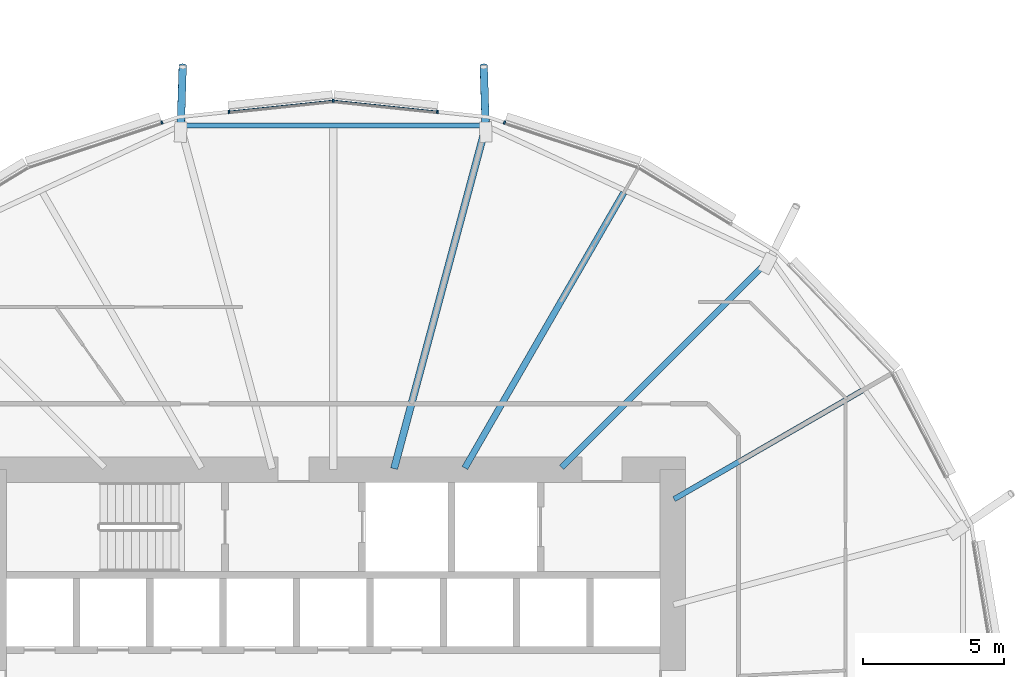
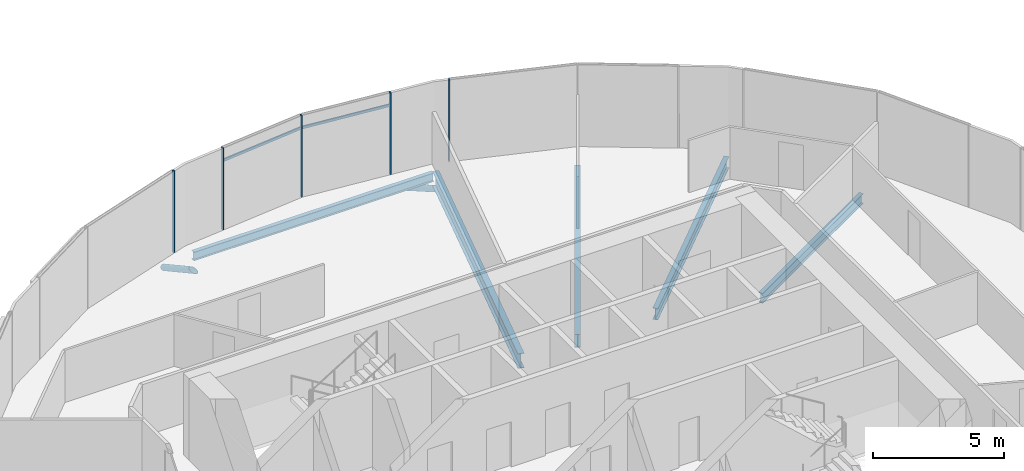
# One storey, part 9 of 38: 9 members, 5 beams, 1 element without a shape of its own.
"""IFC4 building model written with IfcOpenShell, lengths in metres."""

from ifc_helpers import new_model, si_unit, direction, frame, origin, origin_2d, place, context, subcontext, project, spatial, rectangle, hollow_circle, i_section, extrude, clip, halfspace, material, material_profile, profile_set, type_object, element, aggregate, save


model = new_model("IFC4")

# Units and contexts
model_context = context("Model", 3, precision=1e-05, world=origin(), true_north=direction((0.0, 1.0)))
body_context = subcontext(model_context, "Body", "Model", "MODEL_VIEW")
ifc_project = project(units=[si_unit("LENGTHUNIT", "METRE"), si_unit("AREAUNIT", "SQUARE_METRE"), si_unit("VOLUMEUNIT", "CUBIC_METRE"), si_unit("PLANEANGLEUNIT", "RADIAN"), si_unit("MASSUNIT", "GRAM", prefix="KILO")], contexts=[model_context])

# Site, building, storey
site_placement = place(None, origin())
site = spatial("IfcSite", under=ifc_project, at=site_placement, CompositionType="ELEMENT")
building_placement = place(site_placement, origin())
building = spatial("IfcBuilding", under=site, at=building_placement, Name="Rimbun Link Towers", CompositionType="ELEMENT")
storey_placement = place(building_placement, frame((0.0, 0.0, 68.0)))
storey = spatial("IfcBuildingStorey", under=building, at=storey_placement, Name="L16", CompositionType="ELEMENT", Elevation=68.0)

# Curtain wall, members
ifc_material_1 = material(Name="Aluminium 6063-T6 and low-iron glass", Category="aluminium")
curtain_wall_type = type_object("IfcCurtainWallType", Name="CW1 unitised vision wall", PredefinedType="NOTDEFINED", material=ifc_material_1)
curtain_wall_placement = place(storey_placement, origin())
curtain_wall = element("IfcCurtainWall", 1, at=curtain_wall_placement, inside=storey, type_object=curtain_wall_type, Name="CW1 L16 T1", PredefinedType="NOTDEFINED")
ifc_material_2 = material(Name="Aluminium 6063-T6", Category="aluminium")
ifc_material_profile_1 = material_profile(ifc_material_2, rectangle(XDim=0.1201171875, YDim=0.06005859375, at=origin_2d()), Name="MULLION 60X120")
ifc_profile_set_1 = profile_set([ifc_material_profile_1], Name="Aluminium 6063-T6")
member_type_1 = type_object("IfcMemberType", Name="CW1 mullion 60X120", PredefinedType="MULLION", material=ifc_profile_set_1)
member_1_placement = place(storey_placement, frame((-25.695068359375, 20.26953125, 0.0), z_axis=(0.0, 0.0, 1.0), x_axis=(0.314555783293, 0.949238989505, 0.0)))
member_1 = element("IfcMember", 2, at=member_1_placement, type_object=member_type_1, Name="CW1 mullion", PredefinedType="MULLION", context=body_context, shape_type="SweptSolid", body=[
    extrude(rectangle(XDim=0.1201171875, YDim=0.06005859375, at=origin_2d()), origin(), (0.0, 0.0, 1.0), 3.800048828125),
])
member_2_placement = place(storey_placement, frame((-31.75, 21.037109375, 0.0), z_axis=(0.0, 0.0, 1.0), x_axis=(0.0, 1.0, 0.0)))
member_2 = element("IfcMember", 3, at=member_2_placement, type_object=member_type_1, Name="CW1 mullion", PredefinedType="MULLION", context=body_context, shape_type="SweptSolid", body=[
    extrude(rectangle(XDim=0.1201171875, YDim=0.06005859375, at=origin_2d()), origin(), (0.0, 0.0, 1.0), 3.800048828125),
])
member_3_placement = place(storey_placement, frame((-28.0673828125, 20.6494140625, 0.0), z_axis=(0.0, 0.0, 1.0), x_axis=(0.104734976112, 0.994500168315, 0.0)))
member_3 = element("IfcMember", 4, at=member_3_placement, type_object=member_type_1, Name="CW1 mullion", PredefinedType="MULLION", context=body_context, shape_type="SweptSolid", body=[
    extrude(rectangle(XDim=0.1201171875, YDim=0.06005859375, at=origin_2d()), origin(), (0.0, 0.0, 1.0), 3.800048828125),
])
member_4_placement = place(storey_placement, frame((-35.4326171875, 20.6494140625, 0.0), z_axis=(0.0, 0.0, 1.0), x_axis=(-0.104734976112, 0.994500168315, 0.0)))
member_4 = element("IfcMember", 5, at=member_4_placement, type_object=member_type_1, Name="CW1 mullion", PredefinedType="MULLION", context=body_context, shape_type="SweptSolid", body=[
    extrude(rectangle(XDim=0.1201171875, YDim=0.06005859375, at=origin_2d()), origin(), (0.0, 0.0, 1.0), 3.800048828125),
])
member_5_placement = place(storey_placement, frame((-37.804931640625, 20.26953125, 0.0), z_axis=(0.0, 0.0, 1.0), x_axis=(-0.314555783293, 0.949238989505, 0.0)))
member_5 = element("IfcMember", 6, at=member_5_placement, type_object=member_type_1, Name="CW1 mullion", PredefinedType="MULLION", context=body_context, shape_type="SweptSolid", body=[
    extrude(rectangle(XDim=0.1201171875, YDim=0.06005859375, at=origin_2d()), origin(), (0.0, 0.0, 1.0), 3.800048828125),
])
ifc_material_3 = material(Name="Aluminium 6063-T6", Category="aluminium")
ifc_material_profile_2 = material_profile(ifc_material_3, rectangle(XDim=0.06005859375, YDim=0.1201171875, at=origin_2d()), Name="TRANSOM 60X120")
ifc_profile_set_2 = profile_set([ifc_material_profile_2], Name="Aluminium 6063-T6")
member_type_2 = type_object("IfcMemberType", Name="CW1 transom 60X120", PredefinedType="USERDEFINED", material=ifc_profile_set_2)
member_6_placement = place(storey_placement, frame((-31.714111328125, 21.031494140625, 3.199951171875), z_axis=(0.994501037845, -0.104726719255, 0.0), x_axis=(0.104726719255, 0.994501037845, 0.0)))
member_6 = element("IfcMember", 7, at=member_6_placement, type_object=member_type_2, Name="CW1 transom", ObjectType="TRANSOM", PredefinedType="USERDEFINED", context=body_context, shape_type="SweptSolid", body=[
    extrude(rectangle(XDim=0.06005859375, YDim=0.1201171875, at=origin_2d()), origin(), (0.0, 0.0, 1.0), 3.63671875),
])
member_7_placement = place(storey_placement, frame((-35.402587890625, 20.650634765625, 3.199951171875), z_axis=(0.994501037845, 0.104726719255, 0.0), x_axis=(-0.104726719255, 0.994501037845, 0.0)))
member_7 = element("IfcMember", 8, at=member_7_placement, type_object=member_type_2, Name="CW1 transom", ObjectType="TRANSOM", PredefinedType="USERDEFINED", context=body_context, shape_type="SweptSolid", body=[
    extrude(rectangle(XDim=0.06005859375, YDim=0.1201171875, at=origin_2d()), origin(), (0.0, 0.0, 1.0), 3.63671875),
])
aggregate(curtain_wall, [member_1, member_2, member_3, member_4, member_5, member_6, member_7])

# Members
ifc_material_4 = material(Name="Steel S355J2H", Category="steel")
ifc_material_profile_3 = material_profile(ifc_material_4, hollow_circle(Radius=0.136474609375, WallThickness=0.012451171875, at=origin_2d()), Name="CHS 273x12.5")
ifc_profile_set_3 = profile_set([ifc_material_profile_3], Name="Steel S355J2H")
member_type_3 = type_object("IfcMemberType", Name="Floor edge link CHS 273x12.5", PredefinedType="BRACE", material=ifc_profile_set_3)
for number, where, z_axis, x_axis, name in (
    (9, (-26.36181640625, 20.1083984375, -0.962158203125), (-0.027536932108, 0.872068180878, -0.488609051563), (-0.99950183225, -0.031560851204, 0.0), "Floor edge link T1 L16 05"),
    (10, (-37.13818359375, 20.1083984375, -0.962158203125), (0.027536932108, 0.872068180878, -0.488609051563), (-0.99950183225, 0.031560851204, 0.0), "Floor edge link T1 L16 07"),
):
    element("IfcMember", number, at=place(storey_placement, frame(where, z_axis=z_axis, x_axis=x_axis)), inside=storey, type_object=member_type_3, Name=name, PredefinedType="BRACE", context=body_context, shape_type="Clipping", body=[
        clip(extrude(hollow_circle(Radius=0.136474609375, WallThickness=0.012451171875, at=origin_2d()), frame((0.0, 0.0, -0.508056640625)), (0.0, 0.0, 1.0), 2.999267578125), halfspace(frame((0.0, 0.0, -0.23876953125), z_axis=(0.0, 0.872502833652, -0.488609051563)), False)),
    ])

# Beams
ifc_material_5 = material(Name="Steel S355J2", Category="steel")
ifc_material_profile_4 = material_profile(ifc_material_5, i_section(OverallWidth=0.177978515625, OverallDepth=0.406494140625, WebThickness=0.0078125, FlangeThickness=0.0126953125, at=origin_2d()), Name="UB 406x178x60")
ifc_profile_set_4 = profile_set([ifc_material_profile_4], Name="Steel S355J2")
beam_type_1 = type_object("IfcBeamType", Name="UB 406x178x60", PredefinedType="BEAM", material=ifc_profile_set_4)
beam_1_placement = place(storey_placement, frame((-26.481201171875, 20.15673828125, -0.36328125), z_axis=(-1.0, 0.0, 0.0), x_axis=(0.0, -1.0, 0.0)))
element("IfcBeam", 11, at=beam_1_placement, inside=storey, type_object=beam_type_1, Name="Edge beam T1 L16 05-07", PredefinedType="BEAM", context=body_context, shape_type="SweptSolid", body=[
    extrude(i_section(OverallWidth=0.177978515625, OverallDepth=0.406494140625, WebThickness=0.0078125, FlangeThickness=0.0126953125, at=origin_2d()), origin(), (0.0, 0.0, 1.0), 10.53759765625),
])
ifc_material_6 = material(Name="Steel S355J2", Category="steel")
ifc_material_profile_5 = material_profile(ifc_material_6, i_section(OverallWidth=0.18994140625, OverallDepth=0.453369140625, WebThickness=0.008544921875, FlangeThickness=0.0126953125, at=origin_2d()), Name="UB 457x191x67")
ifc_profile_set_5 = profile_set([ifc_material_profile_5], Name="Steel S355J2")
beam_type_2 = type_object("IfcBeamType", Name="UB 457x191x67", PredefinedType="BEAM", material=ifc_profile_set_5)
beam_2_placement = place(storey_placement, frame((-19.70166015625, 6.9560546875, -0.38671875), z_axis=(0.866012339475, 0.500022627366, 0.0), x_axis=(-0.500022627366, 0.866012339475, 0.0)))
element("IfcBeam", 12, at=beam_2_placement, inside=storey, type_object=beam_type_2, Name="Radial beam T1 L16 02", PredefinedType="BEAM", context=body_context, shape_type="SweptSolid", body=[
    extrude(i_section(OverallWidth=0.18994140625, OverallDepth=0.453369140625, WebThickness=0.008544921875, FlangeThickness=0.0126953125, at=origin_2d()), origin(), (0.0, 0.0, 1.0), 7.674072265625),
])
ifc_material_7 = material(Name="Steel S355J2", Category="steel")
ifc_material_profile_6 = material_profile(ifc_material_7, i_section(OverallWidth=0.209228515625, OverallDepth=0.533203125, WebThickness=0.010009765625, FlangeThickness=0.015625, at=origin_2d()), Name="UB 533x210x92")
ifc_profile_set_6 = profile_set([ifc_material_profile_6], Name="Steel S355J2")
beam_type_3 = type_object("IfcBeamType", Name="UB 533x210x92", PredefinedType="BEAM", material=ifc_profile_set_6)
beam_3_placement = place(storey_placement, frame((-23.67529296875, 8.07470703125, -0.426513671875), z_axis=(0.707106781187, 0.707106781187, 0.0), x_axis=(-0.707106781187, 0.707106781187, 0.0)))
element("IfcBeam", 13, at=beam_3_placement, inside=storey, type_object=beam_type_3, Name="Radial beam T1 L16 03", PredefinedType="BEAM", context=body_context, shape_type="SweptSolid", body=[
    extrude(i_section(OverallWidth=0.209228515625, OverallDepth=0.533203125, WebThickness=0.010009765625, FlangeThickness=0.015625, at=origin_2d()), origin(), (0.0, 0.0, 1.0), 10.45263671875),
])
ifc_material_8 = material(Name="Steel S355J2", Category="steel")
ifc_material_profile_7 = material_profile(ifc_material_8, i_section(OverallWidth=0.2275390625, OverallDepth=0.6025390625, WebThickness=0.010498046875, FlangeThickness=0.014892578125, at=origin_2d()), Name="UB 610x229x101")
ifc_profile_set_7 = profile_set([ifc_material_profile_7], Name="Steel S355J2")
beam_type_4 = type_object("IfcBeamType", Name="UB 610x229x101", PredefinedType="BEAM", material=ifc_profile_set_7)
beam_4_placement = place(storey_placement, frame((-27.097900390625, 8.057861328125, -0.461181640625), z_axis=(0.50001148964, 0.866018770136, 0.0), x_axis=(-0.866018770136, 0.50001148964, 0.0)))
element("IfcBeam", 14, at=beam_4_placement, inside=storey, type_object=beam_type_4, Name="Radial beam T1 L16 04", PredefinedType="BEAM", context=body_context, shape_type="SweptSolid", body=[
    extrude(i_section(OverallWidth=0.2275390625, OverallDepth=0.6025390625, WebThickness=0.010498046875, FlangeThickness=0.014892578125, at=origin_2d()), origin(), (0.0, 0.0, 1.0), 11.235595703125),
])
ifc_material_9 = material(Name="Steel S355J2", Category="steel")
ifc_material_profile_8 = material_profile(ifc_material_9, i_section(OverallWidth=0.253662109375, OverallDepth=0.68359375, WebThickness=0.012451171875, FlangeThickness=0.01904296875, at=origin_2d()), Name="UB 686x254x140")
ifc_profile_set_8 = profile_set([ifc_material_profile_8], Name="Steel S355J2")
beam_type_5 = type_object("IfcBeamType", Name="UB 686x254x140", PredefinedType="BEAM", material=ifc_profile_set_8)
beam_5_placement = place(storey_placement, frame((-29.597412109375, 8.03369140625, -0.501708984375), z_axis=(0.258813870741, 0.96592721274, 0.0), x_axis=(-0.96592721274, 0.258813870741, 0.0)))
element("IfcBeam", 15, at=beam_5_placement, inside=storey, type_object=beam_type_5, Name="Radial beam T1 L16 05", PredefinedType="BEAM", context=body_context, shape_type="SweptSolid", body=[
    extrude(i_section(OverallWidth=0.253662109375, OverallDepth=0.68359375, WebThickness=0.012451171875, FlangeThickness=0.01904296875, at=origin_2d()), origin(), (0.0, 0.0, 1.0), 12.55078125),
])

save(model, "model.ifc")
